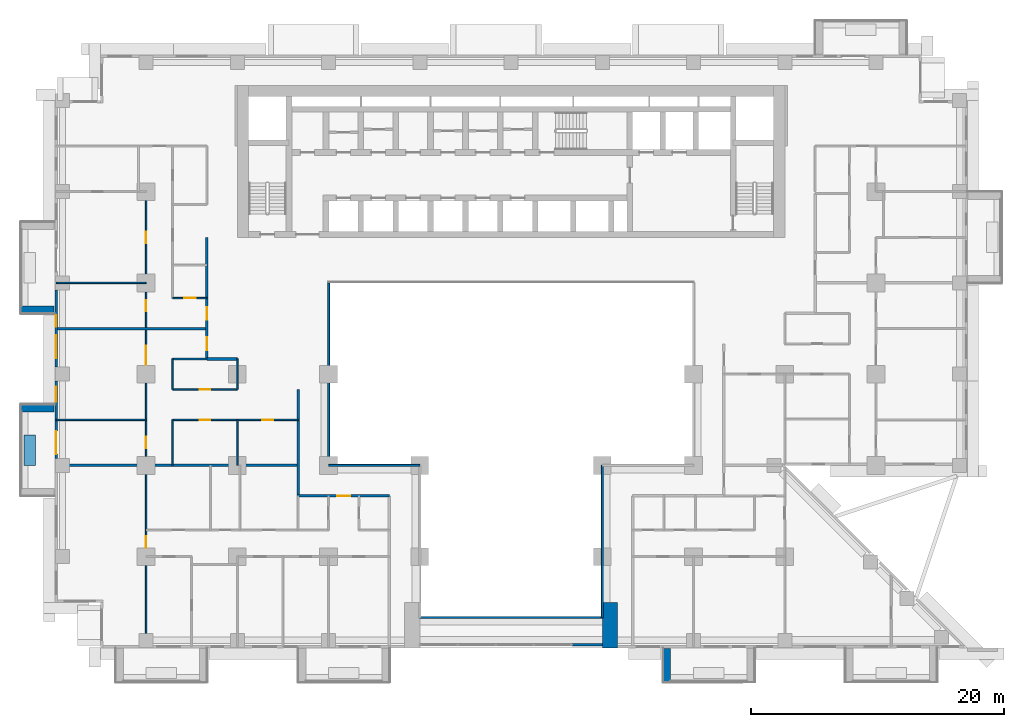
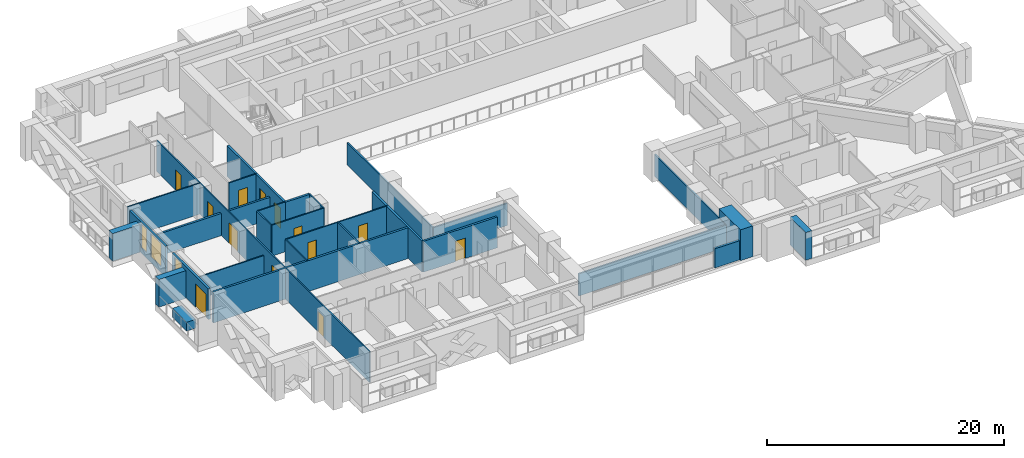
# One storey, part 7 of 17: 29 walls, 13 doors, 3 windows, 16 openings.
"""IFC4 building model written with IfcOpenShell, lengths in metres."""

from ifc_helpers import new_model, si_unit, direction, frame, frame_2d, origin, place, context, subcontext, project, spatial, rectangle, extrude, material, layer, layer_set, type_object, element, fill, save


model = new_model("IFC4")

# Units and contexts
model_context = context("Model", 3, precision=1e-05, world=origin(), true_north=direction((0.0, 1.0)))
body_context = subcontext(model_context, "Body", "Model", "MODEL_VIEW")
ifc_project = project(units=[si_unit("LENGTHUNIT", "METRE"), si_unit("AREAUNIT", "SQUARE_METRE"), si_unit("VOLUMEUNIT", "CUBIC_METRE"), si_unit("PLANEANGLEUNIT", "RADIAN"), si_unit("MASSUNIT", "GRAM", prefix="KILO")], contexts=[model_context])

# Site, building, storey
site_placement = place(None, origin())
site = spatial("IfcSite", under=ifc_project, at=site_placement, CompositionType="ELEMENT")
building_placement = place(site_placement, origin())
building = spatial("IfcBuilding", under=site, at=building_placement, Name="Saffron Iwan Residences", CompositionType="ELEMENT")
storey_placement = place(building_placement, frame((0.0, 0.0, 41.0)))
storey = spatial("IfcBuildingStorey", under=building, at=storey_placement, Name="L09", CompositionType="ELEMENT", Elevation=41.0)

# Walls
ifc_material_1 = material(Name="Fire-rated glazing", Category="glass")
ifc_layer_1 = layer(ifc_material_1, 0.14990234375)
ifc_layer_set_1 = layer_set([ifc_layer_1], Name="Fire-rated glazing")
wall_type_1 = type_object("IfcWallType", Name="Atrium glazed screen 150", PredefinedType="SOLIDWALL", material=ifc_layer_set_1)
wall_1_placement = place(storey_placement, frame((43.199951171875, 36.0, 0.0), z_axis=(0.0, 0.0, 1.0), x_axis=(1.0, 0.0, 0.0)))
element("IfcWall", 1, at=wall_1_placement, inside=storey, type_object=wall_type_1, Name="W-L09-SCREEN-h36-43.2", PredefinedType="SOLIDWALL", context=body_context, shape_type="SweptSolid", body=[
    extrude(rectangle(XDim=14.400146484375, YDim=0.14990234375, at=frame_2d((7.2001953125, 0.0))), origin(), (0.0, 0.0, 1.0), 2.280029296875),
])
wall_2_placement = place(storey_placement, frame((36.0, 48.0, 0.0), z_axis=(0.0, 0.0, 1.0), x_axis=(1.0, 0.0, 0.0)))
element("IfcWall", 2, at=wall_2_placement, inside=storey, type_object=wall_type_1, Name="W-L09-SCREEN-h48-36", PredefinedType="SOLIDWALL", context=body_context, shape_type="SweptSolid", body=[
    extrude(rectangle(XDim=7.199951171875, YDim=0.14990234375, at=frame_2d((3.60009765625, 0.0))), origin(), (0.0, 0.0, 1.0), 2.280029296875),
])
wall_3_placement = place(storey_placement, frame((36.0, 48.0, 0.0), z_axis=(0.0, 0.0, 1.0), x_axis=(0.0, 1.0, 0.0)))
element("IfcWall", 3, at=wall_3_placement, inside=storey, type_object=wall_type_1, Name="W-L09-SCREEN-v36-48", PredefinedType="SOLIDWALL", context=body_context, shape_type="SweptSolid", body=[
    extrude(rectangle(XDim=14.39990234375, YDim=0.14990234375, at=frame_2d((7.199951171875, 0.0))), origin(), (0.0, 0.0, 1.0), 2.280029296875),
])
wall_4_placement = place(storey_placement, frame((57.60009765625, 36.0, 0.0), z_axis=(0.0, 0.0, 1.0), x_axis=(0.0, 1.0, 0.0)))
element("IfcWall", 4, at=wall_4_placement, inside=storey, type_object=wall_type_1, Name="W-L09-SCREEN-v57.6-36", PredefinedType="SOLIDWALL", context=body_context, shape_type="SweptSolid", body=[
    extrude(rectangle(XDim=12.0, YDim=0.14990234375, at=frame_2d((6.0, 0.0))), origin(), (0.0, 0.0, 1.0), 2.280029296875),
])
ifc_material_2 = material(Name="Concrete C50/60 white painted", Category="concrete")
ifc_layer_2 = layer(ifc_material_2, 0.60009765625)
ifc_layer_set_2 = layer_set([ifc_layer_2], Name="Concrete C50/60 white painted")
wall_type_2 = type_object("IfcWallType", Name="BALCONY FIN 600", PredefinedType="SOLIDWALL", material=ifc_layer_set_2)
for number, where, z_axis, x_axis, name in (
    (5, (14.35009765625, 60.300048828125, 0.0), (0.0, 0.0, 1.0), (-1.0, 0.0, 0.0), "Balcony fin L09 F8-0b"),
    (6, (14.35009765625, 52.5, 0.0), (0.0, 0.0, 1.0), (-1.0, 0.0, 0.0), "Balcony fin L09 F8-1a"),
    (7, (62.699951171875, 33.550048828125, 0.0), (0.0, 0.0, 1.0), (0.0, -1.0, 0.0), "Balcony fin L09 11-2a"),
):
    element("IfcWall", number, at=place(storey_placement, frame(where, z_axis=z_axis, x_axis=x_axis)), inside=storey, type_object=wall_type_2, Name=name, PredefinedType="SOLIDWALL", context=body_context, shape_type="SweptSolid", body=[
        extrude(rectangle(XDim=2.650146484375, YDim=0.60009765625, at=frame_2d((1.3251953125, 0.0))), origin(), (0.0, 0.0, 1.0), 2.85009765625),
    ])
ifc_material_3 = material(Name="Concrete C35/45 white painted", Category="concrete")
ifc_layer_3 = layer(ifc_material_3, 0.14990234375)
ifc_layer_set_3 = layer_set([ifc_layer_3], Name="Concrete C35/45 white painted")
wall_type_3 = type_object("IfcWallType", Name="BALCONY PLANTER", PredefinedType="SOLIDWALL", material=ifc_layer_set_3)
wall_5_placement = place(storey_placement, frame((12.425048828125, 50.39990234375, 0.0), z_axis=(0.0, 0.0, 1.0), x_axis=(0.0, -1.0, 0.0)))
element("IfcWall", 8, at=wall_5_placement, inside=storey, type_object=wall_type_3, Name="PLANTER L09 F8-1", PredefinedType="SOLIDWALL", context=body_context, shape_type="SweptSolid", body=[
    extrude(rectangle(XDim=2.39990234375, YDim=0.89990234375, at=frame_2d((1.199951171875, 0.0))), origin(), (0.0, 0.0, 1.0), 0.89990234375),
])

# Wall, openings, windows
ifc_material_4 = material(Name="Concrete C40/50", Category="concrete")
ifc_layer_4 = layer(ifc_material_4, 0.199951171875)
ifc_layer_set_4 = layer_set([ifc_layer_4], Name="Concrete C40/50")
wall_type_4 = type_object("IfcWallType", Name="EXTERNAL WALL 200", PredefinedType="SOLIDWALL", material=ifc_layer_set_4)
wall_6_placement = place(storey_placement, frame((14.5, 61.85009765625, 0.0), z_axis=(0.0, 0.0, 1.0), x_axis=(0.0, -1.0, 0.0)))
wall_6 = element("IfcWall", 9, at=wall_6_placement, inside=storey, type_object=wall_type_4, Name="External wall L09 F8.2", PredefinedType="SOLIDWALL", context=body_context, shape_type="SweptSolid", body=[
    extrude(rectangle(XDim=6.10009765625, YDim=0.199951171875, at=frame_2d((3.050048828125, 0.0))), origin(), (0.0, 0.0, 1.0), 3.179931640625),
])
opening_1_placement = place(wall_6_placement, frame((3.574951171875, 0.0, 0.60009765625)))
opening_1 = element("IfcOpeningElement", 10, at=opening_1_placement, cuts=wall_6, Name="Opening W8", PredefinedType="OPENING", context=body_context, shape_type="SweptSolid", body=[
    extrude(rectangle(XDim=1.800048828125, YDim=2.39990234375, at=frame_2d((0.89990234375, 1.199951171875))), frame((0.0, 0.10986328125, 0.0), z_axis=(0.0, -1.0, 0.0), x_axis=(1.0, 0.0, 0.0)), (0.0, 0.0, 1.0), 0.219970703125),
])
opening_2_placement = place(wall_6_placement, frame((2.0, 0.0, 0.60009765625)))
opening_2 = element("IfcOpeningElement", 11, at=opening_2_placement, cuts=wall_6, Name="Opening W10", PredefinedType="OPENING", context=body_context, shape_type="SweptSolid", body=[
    extrude(rectangle(XDim=0.89990234375, YDim=2.39990234375, at=frame_2d((0.449951171875, 1.199951171875))), frame((0.0, 0.10986328125, 0.0), z_axis=(0.0, -1.0, 0.0), x_axis=(1.0, 0.0, 0.0)), (0.0, 0.0, 1.0), 0.219970703125),
])
ifc_material_5 = material(Name="Clear glass, laminated double glazed", Category="glass")
window_type_1 = type_object("IfcWindowType", Name="WINDOW 1800 x 2400", PartitioningType="DOUBLE_PANEL_VERTICAL", PredefinedType="WINDOW", material=ifc_material_5)
window_1_placement = place(opening_1_placement, origin())
window_1 = element("IfcWindow", 12, at=window_1_placement, inside=storey, type_object=window_type_1, Name="Window L09 F8.0", OverallHeight=2.39990234375, OverallWidth=1.800048828125, PartitioningType="DOUBLE_PANEL_VERTICAL", PredefinedType="WINDOW", context=body_context, shape_type="SweptSolid", body=[
    extrude(rectangle(XDim=1.800048828125, YDim=2.39990234375, at=frame_2d((0.89990234375, 1.199951171875))), frame((0.0, 0.030029296875, 0.0), z_axis=(0.0, -1.0, 0.0), x_axis=(1.0, 0.0, 0.0)), (0.0, 0.0, 1.0), 0.06005859375),
])
fill(opening_1, window_1)
window_type_2 = type_object("IfcWindowType", Name="WINDOW 900 x 2400", PartitioningType="SINGLE_PANEL", PredefinedType="WINDOW", material=ifc_material_5)
window_2_placement = place(opening_2_placement, origin())
window_2 = element("IfcWindow", 13, at=window_2_placement, inside=storey, type_object=window_type_2, Name="Window L09 F8.1", OverallHeight=2.39990234375, OverallWidth=0.89990234375, PartitioningType="SINGLE_PANEL", PredefinedType="WINDOW", context=body_context, shape_type="SweptSolid", body=[
    extrude(rectangle(XDim=0.89990234375, YDim=2.39990234375, at=frame_2d((0.449951171875, 1.199951171875))), frame((0.0, 0.030029296875, 0.0), z_axis=(0.0, -1.0, 0.0), x_axis=(1.0, 0.0, 0.0)), (0.0, 0.0, 1.0), 0.06005859375),
])
fill(opening_2, window_2)

# Wall, openings, door, window
wall_7_placement = place(storey_placement, frame((14.5, 54.64990234375, 0.0), z_axis=(0.0, 0.0, 1.0), x_axis=(0.0, -1.0, 0.0)))
wall_7 = element("IfcWall", 14, at=wall_7_placement, inside=storey, type_object=wall_type_4, Name="External wall L09 F8.3", PredefinedType="SOLIDWALL", context=body_context, shape_type="SweptSolid", body=[
    extrude(rectangle(XDim=6.099853515625, YDim=0.199951171875, at=frame_2d((3.0498046875, 0.0))), origin(), (0.0, 0.0, 1.0), 3.179931640625),
])
opening_3_placement = place(wall_7_placement, frame((3.949951171875, 0.0, 0.0)))
opening_3 = element("IfcOpeningElement", 15, at=opening_3_placement, cuts=wall_7, Name="Opening BD1", PredefinedType="OPENING", context=body_context, shape_type="SweptSolid", body=[
    extrude(rectangle(XDim=1.800048828125, YDim=2.39990234375, at=frame_2d((0.89990234375, 1.199951171875))), frame((0.0, 0.10986328125, 0.0), z_axis=(0.0, -1.0, 0.0), x_axis=(1.0, 0.0, 0.0)), (0.0, 0.0, 1.0), 0.219970703125),
])
opening_4_placement = place(wall_7_placement, frame((0.425048828125, 0.0, 0.60009765625)))
opening_4 = element("IfcOpeningElement", 16, at=opening_4_placement, cuts=wall_7, Name="Opening W3", PredefinedType="OPENING", context=body_context, shape_type="SweptSolid", body=[
    extrude(rectangle(XDim=1.199951171875, YDim=2.39990234375, at=frame_2d((0.60009765625, 1.199951171875))), frame((0.0, 0.10986328125, 0.0), z_axis=(0.0, -1.0, 0.0), x_axis=(1.0, 0.0, 0.0)), (0.0, 0.0, 1.0), 0.219970703125),
])
door_type_1 = type_object("IfcDoorType", Name="BALCONY DOOR 1800 x 2400", OperationType="DOUBLE_DOOR_SLIDING", PredefinedType="DOOR", material=ifc_material_5)
door_1_placement = place(opening_3_placement, origin())
door_1 = element("IfcDoor", 17, at=door_1_placement, inside=storey, type_object=door_type_1, Name="Balcony door L09 F8.0", OperationType="DOUBLE_DOOR_SLIDING", OverallHeight=2.39990234375, OverallWidth=1.800048828125, PredefinedType="DOOR", context=body_context, shape_type="SweptSolid", body=[
    extrude(rectangle(XDim=1.800048828125, YDim=2.39990234375, at=frame_2d((0.89990234375, 1.199951171875))), frame((0.0, 0.02490234375, 0.0), z_axis=(0.0, -1.0, 0.0), x_axis=(1.0, 0.0, 0.0)), (0.0, 0.0, 1.0), 0.050048828125),
])
fill(opening_3, door_1)
window_type_3 = type_object("IfcWindowType", Name="WINDOW 1200 x 2400", PartitioningType="SINGLE_PANEL", PredefinedType="WINDOW", material=ifc_material_5)
window_3_placement = place(opening_4_placement, origin())
window_3 = element("IfcWindow", 18, at=window_3_placement, inside=storey, type_object=window_type_3, Name="Window L09 F8.1", OverallHeight=2.39990234375, OverallWidth=1.199951171875, PartitioningType="SINGLE_PANEL", PredefinedType="WINDOW", context=body_context, shape_type="SweptSolid", body=[
    extrude(rectangle(XDim=1.199951171875, YDim=2.39990234375, at=frame_2d((0.60009765625, 1.199951171875))), frame((0.0, 0.030029296875, 0.0), z_axis=(0.0, -1.0, 0.0), x_axis=(1.0, 0.0, 0.0)), (0.0, 0.0, 1.0), 0.06005859375),
])
fill(opening_4, window_3)

# Walls
wall_8_placement = place(storey_placement, frame((55.199951171875, 33.85009765625, 0.0), z_axis=(0.0, 0.0, 1.0), x_axis=(1.0, 0.0, 0.0)))
element("IfcWall", 19, at=wall_8_placement, inside=storey, type_object=wall_type_4, Name="External wall infill CWB-L09-0", PredefinedType="SOLIDWALL", context=body_context, shape_type="SweptSolid", body=[
    extrude(rectangle(XDim=2.400146484375, YDim=0.199951171875, at=frame_2d((1.2001953125, 0.0))), origin(), (0.0, 0.0, 1.0), 1.97998046875),
])
ifc_material_6 = material(Name="Fire-rated gypsum board wall")
ifc_layer_5 = layer(ifc_material_6, 0.199951171875)
ifc_layer_set_5 = layer_set([ifc_layer_5], Name="Fire-rated gypsum board wall")
wall_type_5 = type_object("IfcWallType", Name="Flat demising wall 200", PredefinedType="SOLIDWALL", material=ifc_layer_set_5)
wall_9_placement = place(storey_placement, frame((14.52490234375, 48.0, 0.0), z_axis=(0.0, 0.0, 1.0), x_axis=(1.0, 0.0, 0.0)))
element("IfcWall", 20, at=wall_9_placement, inside=storey, type_object=wall_type_5, Name="W-L09-DEMISE-h48-14.525", PredefinedType="SOLIDWALL", context=body_context, shape_type="SweptSolid", body=[
    extrude(rectangle(XDim=19.0751953125, YDim=0.199951171875, at=frame_2d((9.53759765625, 0.0))), origin(), (0.0, 0.0, 1.0), 3.179931640625),
])
wall_10_placement = place(storey_placement, frame((14.52490234375, 58.800048828125, 0.0), z_axis=(0.0, 0.0, 1.0), x_axis=(1.0, 0.0, 0.0)))
element("IfcWall", 21, at=wall_10_placement, inside=storey, type_object=wall_type_5, Name="W-L09-DEMISE-h58.8-14.525", PredefinedType="SOLIDWALL", context=body_context, shape_type="SweptSolid", body=[
    extrude(rectangle(XDim=11.875, YDim=0.199951171875, at=frame_2d((5.9375, 0.0))), origin(), (0.0, 0.0, 1.0), 2.280029296875),
])
ifc_material_7 = material(Name="Gypsum board partition")
ifc_layer_6 = layer(ifc_material_7, 0.1201171875)
ifc_layer_set_6 = layer_set([ifc_layer_6], Name="Gypsum board partition")
wall_type_6 = type_object("IfcWallType", Name="Flat partition 120", PredefinedType="PARTITIONING", material=ifc_layer_set_6)
wall_11_placement = place(storey_placement, frame((14.52490234375, 51.60009765625, 0.0), z_axis=(0.0, 0.0, 1.0), x_axis=(1.0, 0.0, 0.0)))
element("IfcWall", 22, at=wall_11_placement, inside=storey, type_object=wall_type_6, Name="W-L09-PART-h51.6-14.525", PredefinedType="PARTITIONING", context=body_context, shape_type="SweptSolid", body=[
    extrude(rectangle(XDim=7.0751953125, YDim=0.1201171875, at=frame_2d((3.53759765625, 0.0))), origin(), (0.0, 0.0, 1.0), 2.280029296875),
])

# Wall, openings, doors
wall_12_placement = place(storey_placement, frame((23.699951171875, 51.60009765625, 0.0), z_axis=(0.0, 0.0, 1.0), x_axis=(1.0, 0.0, 0.0)))
wall_12 = element("IfcWall", 23, at=wall_12_placement, inside=storey, type_object=wall_type_6, Name="W-L09-PART-h51.6-23.7", PredefinedType="PARTITIONING", context=body_context, shape_type="SweptSolid", body=[
    extrude(rectangle(XDim=9.900146484375, YDim=0.1201171875, at=frame_2d((4.9501953125, 0.0))), origin(), (0.0, 0.0, 1.0), 3.179931640625),
])
opening_5_placement = place(wall_12_placement, frame((2.14990234375, 0.0, 0.0)))
opening_5 = element("IfcOpeningElement", 24, at=opening_5_placement, cuts=wall_12, Name="Opening FD3", PredefinedType="OPENING", context=body_context, shape_type="SweptSolid", body=[
    extrude(rectangle(XDim=0.800048828125, YDim=2.10009765625, at=frame_2d((0.39990234375, 1.050048828125))), frame((0.0, 0.070068359375, 0.0), z_axis=(0.0, -1.0, 0.0), x_axis=(1.0, 0.0, 0.0)), (0.0, 0.0, 1.0), 0.14013671875),
])
opening_6_placement = place(wall_12_placement, frame((7.050048828125, 0.0, 0.0)))
opening_6 = element("IfcOpeningElement", 25, at=opening_6_placement, cuts=wall_12, Name="Opening FD2", PredefinedType="OPENING", context=body_context, shape_type="SweptSolid", body=[
    extrude(rectangle(XDim=0.89990234375, YDim=2.10009765625, at=frame_2d((0.449951171875, 1.050048828125))), frame((0.0, 0.070068359375, 0.0), z_axis=(0.0, -1.0, 0.0), x_axis=(1.0, 0.0, 0.0)), (0.0, 0.0, 1.0), 0.14013671875),
])
ifc_material_8 = material(Name="Timber door", Category="wood")
door_type_2 = type_object("IfcDoorType", Name="Bathroom door 800", OperationType="NOTDEFINED", PredefinedType="DOOR", material=ifc_material_8)
door_2_placement = place(opening_5_placement, origin())
door_2 = element("IfcDoor", 26, at=door_2_placement, inside=storey, type_object=door_type_2, Name="Door L09-016", OperationType="SINGLE_SWING_RIGHT", OverallHeight=2.10009765625, OverallWidth=0.800048828125, PredefinedType="DOOR", context=body_context, shape_type="SweptSolid", body=[
    extrude(rectangle(XDim=0.800048828125, YDim=2.10009765625, at=frame_2d((0.39990234375, 1.050048828125))), frame((0.0, 0.02490234375, 0.0), z_axis=(0.0, -1.0, 0.0), x_axis=(1.0, 0.0, 0.0)), (0.0, 0.0, 1.0), 0.050048828125),
])
fill(opening_5, door_2)
door_type_3 = type_object("IfcDoorType", Name="Flat door 900", OperationType="NOTDEFINED", PredefinedType="DOOR", material=ifc_material_8)
door_3_placement = place(opening_6_placement, origin())
door_3 = element("IfcDoor", 27, at=door_3_placement, inside=storey, type_object=door_type_3, Name="Door L09-018", OperationType="SINGLE_SWING_LEFT", OverallHeight=2.10009765625, OverallWidth=0.89990234375, PredefinedType="DOOR", context=body_context, shape_type="SweptSolid", body=[
    extrude(rectangle(XDim=0.89990234375, YDim=2.10009765625, at=frame_2d((0.449951171875, 1.050048828125))), frame((0.0, 0.02490234375, 0.0), z_axis=(0.0, -1.0, 0.0), x_axis=(1.0, 0.0, 0.0)), (0.0, 0.0, 1.0), 0.050048828125),
])
fill(opening_6, door_3)

# Wall, opening, door
wall_13_placement = place(storey_placement, frame((23.699951171875, 54.0, 0.0), z_axis=(0.0, 0.0, 1.0), x_axis=(1.0, 0.0, 0.0)))
wall_13 = element("IfcWall", 28, at=wall_13_placement, inside=storey, type_object=wall_type_6, Name="W-L09-PART-h54-23.7", PredefinedType="PARTITIONING", context=body_context, shape_type="SweptSolid", body=[
    extrude(rectangle(XDim=5.10009765625, YDim=0.1201171875, at=frame_2d((2.550048828125, 0.0))), origin(), (0.0, 0.0, 1.0), 3.179931640625),
])
opening_7_placement = place(wall_13_placement, frame((2.14990234375, 0.0, 0.0)))
opening_7 = element("IfcOpeningElement", 29, at=opening_7_placement, cuts=wall_13, Name="Opening FD3", PredefinedType="OPENING", context=body_context, shape_type="SweptSolid", body=[
    extrude(rectangle(XDim=0.800048828125, YDim=2.10009765625, at=frame_2d((0.39990234375, 1.050048828125))), frame((0.0, 0.070068359375, 0.0), z_axis=(0.0, -1.0, 0.0), x_axis=(1.0, 0.0, 0.0)), (0.0, 0.0, 1.0), 0.14013671875),
])
door_4_placement = place(opening_7_placement, origin())
door_4 = element("IfcDoor", 30, at=door_4_placement, inside=storey, type_object=door_type_2, Name="Door L09-017", OperationType="SINGLE_SWING_LEFT", OverallHeight=2.10009765625, OverallWidth=0.800048828125, PredefinedType="DOOR", context=body_context, shape_type="SweptSolid", body=[
    extrude(rectangle(XDim=0.800048828125, YDim=2.10009765625, at=frame_2d((0.39990234375, 1.050048828125))), frame((0.0, 0.02490234375, 0.0), z_axis=(0.0, -1.0, 0.0), x_axis=(1.0, 0.0, 0.0)), (0.0, 0.0, 1.0), 0.050048828125),
])
fill(opening_7, door_4)

# Wall
wall_14_placement = place(storey_placement, frame((23.699951171875, 56.39990234375, 0.0), z_axis=(0.0, 0.0, 1.0), x_axis=(1.0, 0.0, 0.0)))
element("IfcWall", 31, at=wall_14_placement, inside=storey, type_object=wall_type_6, Name="W-L09-PART-h56.4-23.7", PredefinedType="PARTITIONING", context=body_context, shape_type="SweptSolid", body=[
    extrude(rectangle(XDim=2.699951171875, YDim=0.1201171875, at=frame_2d((1.35009765625, 0.0))), origin(), (0.0, 0.0, 1.0), 3.179931640625),
])

# Wall, opening, door
wall_15_placement = place(storey_placement, frame((23.699951171875, 61.199951171875, 0.0), z_axis=(0.0, 0.0, 1.0), x_axis=(1.0, 0.0, 0.0)))
wall_15 = element("IfcWall", 32, at=wall_15_placement, inside=storey, type_object=wall_type_6, Name="W-L09-PART-h61.2-23.7", PredefinedType="PARTITIONING", context=body_context, shape_type="SweptSolid", body=[
    extrude(rectangle(XDim=2.699951171875, YDim=0.1201171875, at=frame_2d((1.35009765625, 0.0))), origin(), (0.0, 0.0, 1.0), 3.179931640625),
])
opening_8_placement = place(wall_15_placement, frame((0.89990234375, 0.0, 0.0)))
opening_8 = element("IfcOpeningElement", 33, at=opening_8_placement, cuts=wall_15, Name="Opening FD2", PredefinedType="OPENING", context=body_context, shape_type="SweptSolid", body=[
    extrude(rectangle(XDim=0.89990234375, YDim=2.10009765625, at=frame_2d((0.449951171875, 1.050048828125))), frame((0.0, 0.070068359375, 0.0), z_axis=(0.0, -1.0, 0.0), x_axis=(1.0, 0.0, 0.0)), (0.0, 0.0, 1.0), 0.14013671875),
])
door_5_placement = place(opening_8_placement, origin())
door_5 = element("IfcDoor", 34, at=door_5_placement, inside=storey, type_object=door_type_3, Name="Door L09-032", OperationType="SINGLE_SWING_LEFT", OverallHeight=2.10009765625, OverallWidth=0.89990234375, PredefinedType="DOOR", context=body_context, shape_type="SweptSolid", body=[
    extrude(rectangle(XDim=0.89990234375, YDim=2.10009765625, at=frame_2d((0.449951171875, 1.050048828125))), frame((0.0, 0.02490234375, 0.0), z_axis=(0.0, -1.0, 0.0), x_axis=(1.0, 0.0, 0.0)), (0.0, 0.0, 1.0), 0.050048828125),
])
fill(opening_8, door_5)

# Wall
wall_16_placement = place(storey_placement, frame((14.52490234375, 62.39990234375, 0.0), z_axis=(0.0, 0.0, 1.0), x_axis=(1.0, 0.0, 0.0)))
element("IfcWall", 35, at=wall_16_placement, inside=storey, type_object=wall_type_6, Name="W-L09-PART-h62.4-14.525", PredefinedType="PARTITIONING", context=body_context, shape_type="SweptSolid", body=[
    extrude(rectangle(XDim=7.0751953125, YDim=0.1201171875, at=frame_2d((3.53759765625, 0.0))), origin(), (0.0, 0.0, 1.0), 3.179931640625),
])

# Wall, openings, doors
wall_17_placement = place(storey_placement, frame((21.60009765625, 33.72509765625, 0.0), z_axis=(0.0, 0.0, 1.0), x_axis=(0.0, 1.0, 0.0)))
wall_17 = element("IfcWall", 36, at=wall_17_placement, inside=storey, type_object=wall_type_6, Name="W-L09-PART-v21.6-33.725", PredefinedType="PARTITIONING", context=body_context, shape_type="SweptSolid", body=[
    extrude(rectangle(XDim=35.875, YDim=0.1201171875, at=frame_2d((17.9375, 0.0))), origin(), (0.0, 0.0, 1.0), 3.179931640625),
])
opening_9_placement = place(wall_17_placement, frame((7.77490234375, 0.0, 0.0)))
opening_9 = element("IfcOpeningElement", 37, at=opening_9_placement, cuts=wall_17, Name="Opening FD2", PredefinedType="OPENING", context=body_context, shape_type="SweptSolid", body=[
    extrude(rectangle(XDim=0.89990234375, YDim=2.10009765625, at=frame_2d((0.449951171875, 1.050048828125))), frame((0.0, 0.070068359375, 0.0), z_axis=(0.0, -1.0, 0.0), x_axis=(1.0, 0.0, 0.0)), (0.0, 0.0, 1.0), 0.14013671875),
])
opening_10_placement = place(wall_17_placement, frame((15.625, 0.0, 0.0)))
opening_10 = element("IfcOpeningElement", 38, at=opening_10_placement, cuts=wall_17, Name="Opening FD2", PredefinedType="OPENING", context=body_context, shape_type="SweptSolid", body=[
    extrude(rectangle(XDim=0.89990234375, YDim=2.10009765625, at=frame_2d((0.449951171875, 1.050048828125))), frame((0.0, 0.070068359375, 0.0), z_axis=(0.0, -1.0, 0.0), x_axis=(1.0, 0.0, 0.0)), (0.0, 0.0, 1.0), 0.14013671875),
])
opening_11_placement = place(wall_17_placement, frame((22.22509765625, 0.0, 0.0)))
opening_11 = element("IfcOpeningElement", 39, at=opening_11_placement, cuts=wall_17, Name="Opening FD4", PredefinedType="OPENING", context=body_context, shape_type="SweptSolid", body=[
    extrude(rectangle(XDim=1.5, YDim=2.10009765625, at=frame_2d((0.75, 1.050048828125))), frame((0.0, 0.070068359375, 0.0), z_axis=(0.0, -1.0, 0.0), x_axis=(1.0, 0.0, 0.0)), (0.0, 0.0, 1.0), 0.14013671875),
])
opening_12_placement = place(wall_17_placement, frame((26.425048828125, 0.0, 0.0)))
opening_12 = element("IfcOpeningElement", 40, at=opening_12_placement, cuts=wall_17, Name="Opening FD2", PredefinedType="OPENING", context=body_context, shape_type="SweptSolid", body=[
    extrude(rectangle(XDim=0.89990234375, YDim=2.10009765625, at=frame_2d((0.449951171875, 1.050048828125))), frame((0.0, 0.070068359375, 0.0), z_axis=(0.0, -1.0, 0.0), x_axis=(1.0, 0.0, 0.0)), (0.0, 0.0, 1.0), 0.14013671875),
])
opening_13_placement = place(wall_17_placement, frame((31.824951171875, 0.0, 0.0)))
opening_13 = element("IfcOpeningElement", 41, at=opening_13_placement, cuts=wall_17, Name="Opening FD2", PredefinedType="OPENING", context=body_context, shape_type="SweptSolid", body=[
    extrude(rectangle(XDim=0.89990234375, YDim=2.10009765625, at=frame_2d((0.449951171875, 1.050048828125))), frame((0.0, 0.070068359375, 0.0), z_axis=(0.0, -1.0, 0.0), x_axis=(1.0, 0.0, 0.0)), (0.0, 0.0, 1.0), 0.14013671875),
])
door_type_4 = type_object("IfcDoorType", Name="Double door 1500", OperationType="NOTDEFINED", PredefinedType="DOOR", material=ifc_material_8)
door_6_placement = place(opening_11_placement, origin())
door_6 = element("IfcDoor", 42, at=door_6_placement, inside=storey, type_object=door_type_4, Name="Door L09-015", OperationType="SINGLE_SWING_RIGHT", OverallHeight=2.10009765625, OverallWidth=1.5, PredefinedType="DOOR", context=body_context, shape_type="SweptSolid", body=[
    extrude(rectangle(XDim=1.5, YDim=2.10009765625, at=frame_2d((0.75, 1.050048828125))), frame((0.0, 0.02490234375, 0.0), z_axis=(0.0, -1.0, 0.0), x_axis=(1.0, 0.0, 0.0)), (0.0, 0.0, 1.0), 0.050048828125),
])
fill(opening_11, door_6)
door_7_placement = place(opening_9_placement, origin())
door_7 = element("IfcDoor", 43, at=door_7_placement, inside=storey, type_object=door_type_3, Name="Door L09-002", OperationType="SINGLE_SWING_RIGHT", OverallHeight=2.10009765625, OverallWidth=0.89990234375, PredefinedType="DOOR", context=body_context, shape_type="SweptSolid", body=[
    extrude(rectangle(XDim=0.89990234375, YDim=2.10009765625, at=frame_2d((0.449951171875, 1.050048828125))), frame((0.0, 0.02490234375, 0.0), z_axis=(0.0, -1.0, 0.0), x_axis=(1.0, 0.0, 0.0)), (0.0, 0.0, 1.0), 0.050048828125),
])
fill(opening_9, door_7)
door_8_placement = place(opening_10_placement, origin())
door_8 = element("IfcDoor", 44, at=door_8_placement, inside=storey, type_object=door_type_3, Name="Door L09-014", OperationType="SINGLE_SWING_LEFT", OverallHeight=2.10009765625, OverallWidth=0.89990234375, PredefinedType="DOOR", context=body_context, shape_type="SweptSolid", body=[
    extrude(rectangle(XDim=0.89990234375, YDim=2.10009765625, at=frame_2d((0.449951171875, 1.050048828125))), frame((0.0, 0.02490234375, 0.0), z_axis=(0.0, -1.0, 0.0), x_axis=(1.0, 0.0, 0.0)), (0.0, 0.0, 1.0), 0.050048828125),
])
fill(opening_10, door_8)
door_9_placement = place(opening_12_placement, origin())
door_9 = element("IfcDoor", 45, at=door_9_placement, inside=storey, type_object=door_type_3, Name="Door L09-028", OperationType="SINGLE_SWING_RIGHT", OverallHeight=2.10009765625, OverallWidth=0.89990234375, PredefinedType="DOOR", context=body_context, shape_type="SweptSolid", body=[
    extrude(rectangle(XDim=0.89990234375, YDim=2.10009765625, at=frame_2d((0.449951171875, 1.050048828125))), frame((0.0, 0.02490234375, 0.0), z_axis=(0.0, -1.0, 0.0), x_axis=(1.0, 0.0, 0.0)), (0.0, 0.0, 1.0), 0.050048828125),
])
fill(opening_12, door_9)
door_10_placement = place(opening_13_placement, origin())
door_10 = element("IfcDoor", 46, at=door_10_placement, inside=storey, type_object=door_type_3, Name="Door L09-029", OperationType="SINGLE_SWING_LEFT", OverallHeight=2.10009765625, OverallWidth=0.89990234375, PredefinedType="DOOR", context=body_context, shape_type="SweptSolid", body=[
    extrude(rectangle(XDim=0.89990234375, YDim=2.10009765625, at=frame_2d((0.449951171875, 1.050048828125))), frame((0.0, 0.02490234375, 0.0), z_axis=(0.0, -1.0, 0.0), x_axis=(1.0, 0.0, 0.0)), (0.0, 0.0, 1.0), 0.050048828125),
])
fill(opening_13, door_10)

# Walls
wall_18_placement = place(storey_placement, frame((23.699951171875, 48.0, 0.0), z_axis=(0.0, 0.0, 1.0), x_axis=(0.0, 1.0, 0.0)))
element("IfcWall", 47, at=wall_18_placement, inside=storey, type_object=wall_type_6, Name="W-L09-PART-v23.7-48", PredefinedType="PARTITIONING", context=body_context, shape_type="SweptSolid", body=[
    extrude(rectangle(XDim=3.60009765625, YDim=0.1201171875, at=frame_2d((1.800048828125, 0.0))), origin(), (0.0, 0.0, 1.0), 3.179931640625),
])
wall_19_placement = place(storey_placement, frame((23.699951171875, 54.0, 0.0), z_axis=(0.0, 0.0, 1.0), x_axis=(0.0, 1.0, 0.0)))
element("IfcWall", 48, at=wall_19_placement, inside=storey, type_object=wall_type_6, Name="W-L09-PART-v23.7-54", PredefinedType="PARTITIONING", context=body_context, shape_type="SweptSolid", body=[
    extrude(rectangle(XDim=2.39990234375, YDim=0.1201171875, at=frame_2d((1.199951171875, 0.0))), origin(), (0.0, 0.0, 1.0), 3.179931640625),
])
wall_20_placement = place(storey_placement, frame((28.800048828125, 48.0, 0.0), z_axis=(0.0, 0.0, 1.0), x_axis=(0.0, 1.0, 0.0)))
element("IfcWall", 49, at=wall_20_placement, inside=storey, type_object=wall_type_6, Name="W-L09-PART-v28.8-48", PredefinedType="PARTITIONING", context=body_context, shape_type="SweptSolid", body=[
    extrude(rectangle(XDim=3.60009765625, YDim=0.1201171875, at=frame_2d((1.800048828125, 0.0))), origin(), (0.0, 0.0, 1.0), 3.179931640625),
])
wall_21_placement = place(storey_placement, frame((28.800048828125, 54.0, 0.0), z_axis=(0.0, 0.0, 1.0), x_axis=(0.0, 1.0, 0.0)))
element("IfcWall", 50, at=wall_21_placement, inside=storey, type_object=wall_type_6, Name="W-L09-PART-v28.8-54", PredefinedType="PARTITIONING", context=body_context, shape_type="SweptSolid", body=[
    extrude(rectangle(XDim=2.39990234375, YDim=0.1201171875, at=frame_2d((1.199951171875, 0.0))), origin(), (0.0, 0.0, 1.0), 3.179931640625),
])

# Wall, opening, door
ifc_layer_7 = layer(ifc_material_6, 0.199951171875)
ifc_layer_set_7 = layer_set([ifc_layer_7], Name="Fire-rated gypsum board wall")
wall_type_7 = type_object("IfcWallType", Name="Gallery wall 200", PredefinedType="SOLIDWALL", material=ifc_layer_set_7)
wall_22_placement = place(storey_placement, frame((33.60009765625, 45.60009765625, 0.0), z_axis=(0.0, 0.0, 1.0), x_axis=(1.0, 0.0, 0.0)))
wall_22 = element("IfcWall", 51, at=wall_22_placement, inside=storey, type_object=wall_type_7, Name="W-L09-CORR-h45.6-33.6", PredefinedType="SOLIDWALL", context=body_context, shape_type="SweptSolid", body=[
    extrude(rectangle(XDim=7.199951171875, YDim=0.199951171875, at=frame_2d((3.60009765625, 0.0))), origin(), (0.0, 0.0, 1.0), 3.179931640625),
])
opening_14_placement = place(wall_22_placement, frame((3.10009765625, 0.0, 0.0)))
opening_14 = element("IfcOpeningElement", 52, at=opening_14_placement, cuts=wall_22, Name="Opening FD1", PredefinedType="OPENING", context=body_context, shape_type="SweptSolid", body=[
    extrude(rectangle(XDim=1.0, YDim=2.10009765625, at=frame_2d((0.5, 1.050048828125))), frame((0.0, 0.10986328125, 0.0), z_axis=(0.0, -1.0, 0.0), x_axis=(1.0, 0.0, 0.0)), (0.0, 0.0, 1.0), 0.219970703125),
])
ifc_material_9 = material(Name="Fire-rated timber door", Category="wood")
door_type_5 = type_object("IfcDoorType", Name="FD30S flat entrance door 1000", OperationType="NOTDEFINED", PredefinedType="DOOR", material=ifc_material_9)
door_11_placement = place(opening_14_placement, origin())
door_11 = element("IfcDoor", 53, at=door_11_placement, inside=storey, type_object=door_type_5, Name="Door L09-001", OperationType="SINGLE_SWING_RIGHT", OverallHeight=2.10009765625, OverallWidth=1.0, PredefinedType="DOOR", context=body_context, shape_type="SweptSolid", body=[
    extrude(rectangle(XDim=1.0, YDim=2.10009765625, at=frame_2d((0.5, 1.050048828125))), frame((0.0, 0.02490234375, 0.0), z_axis=(0.0, -1.0, 0.0), x_axis=(1.0, 0.0, 0.0)), (0.0, 0.0, 1.0), 0.050048828125),
])
fill(opening_14, door_11)

# Wall
wall_23_placement = place(storey_placement, frame((26.39990234375, 56.39990234375, 0.0), z_axis=(0.0, 0.0, 1.0), x_axis=(1.0, 0.0, 0.0)))
element("IfcWall", 54, at=wall_23_placement, inside=storey, type_object=wall_type_7, Name="W-L09-CORR-h56.4-26.4", PredefinedType="SOLIDWALL", context=body_context, shape_type="SweptSolid", body=[
    extrude(rectangle(XDim=2.400146484375, YDim=0.199951171875, at=frame_2d((1.2001953125, 0.0))), origin(), (0.0, 0.0, 1.0), 3.179931640625),
])

# Wall, openings, doors
wall_24_placement = place(storey_placement, frame((26.39990234375, 56.39990234375, 0.0), z_axis=(0.0, 0.0, 1.0), x_axis=(0.0, 1.0, 0.0)))
wall_24 = element("IfcWall", 55, at=wall_24_placement, inside=storey, type_object=wall_type_7, Name="W-L09-CORR-v26.4-56.4", PredefinedType="SOLIDWALL", context=body_context, shape_type="SweptSolid", body=[
    extrude(rectangle(XDim=9.60009765625, YDim=0.199951171875, at=frame_2d((4.800048828125, 0.0))), origin(), (0.0, 0.0, 1.0), 3.179931640625),
])
opening_15_placement = place(wall_24_placement, frame((0.699951171875, 0.0, 0.0)))
opening_15 = element("IfcOpeningElement", 56, at=opening_15_placement, cuts=wall_24, Name="Opening FD1", PredefinedType="OPENING", context=body_context, shape_type="SweptSolid", body=[
    extrude(rectangle(XDim=1.0, YDim=2.10009765625, at=frame_2d((0.5, 1.050048828125))), frame((0.0, 0.10986328125, 0.0), z_axis=(0.0, -1.0, 0.0), x_axis=(1.0, 0.0, 0.0)), (0.0, 0.0, 1.0), 0.219970703125),
])
opening_16_placement = place(wall_24_placement, frame((3.10009765625, 0.0, 0.0)))
opening_16 = element("IfcOpeningElement", 57, at=opening_16_placement, cuts=wall_24, Name="Opening FD1", PredefinedType="OPENING", context=body_context, shape_type="SweptSolid", body=[
    extrude(rectangle(XDim=1.0, YDim=2.10009765625, at=frame_2d((0.5, 1.050048828125))), frame((0.0, 0.10986328125, 0.0), z_axis=(0.0, -1.0, 0.0), x_axis=(1.0, 0.0, 0.0)), (0.0, 0.0, 1.0), 0.219970703125),
])
door_12_placement = place(opening_15_placement, origin())
door_12 = element("IfcDoor", 58, at=door_12_placement, inside=storey, type_object=door_type_5, Name="Door L09-013", OperationType="SINGLE_SWING_RIGHT", OverallHeight=2.10009765625, OverallWidth=1.0, PredefinedType="DOOR", context=body_context, shape_type="SweptSolid", body=[
    extrude(rectangle(XDim=1.0, YDim=2.10009765625, at=frame_2d((0.5, 1.050048828125))), frame((0.0, 0.02490234375, 0.0), z_axis=(0.0, -1.0, 0.0), x_axis=(1.0, 0.0, 0.0)), (0.0, 0.0, 1.0), 0.050048828125),
])
fill(opening_15, door_12)
door_13_placement = place(opening_16_placement, origin())
door_13 = element("IfcDoor", 59, at=door_13_placement, inside=storey, type_object=door_type_5, Name="Door L09-027", OperationType="SINGLE_SWING_LEFT", OverallHeight=2.10009765625, OverallWidth=1.0, PredefinedType="DOOR", context=body_context, shape_type="SweptSolid", body=[
    extrude(rectangle(XDim=1.0, YDim=2.10009765625, at=frame_2d((0.5, 1.050048828125))), frame((0.0, 0.02490234375, 0.0), z_axis=(0.0, -1.0, 0.0), x_axis=(1.0, 0.0, 0.0)), (0.0, 0.0, 1.0), 0.050048828125),
])
fill(opening_16, door_13)

# Walls
wall_25_placement = place(storey_placement, frame((33.60009765625, 45.60009765625, 0.0), z_axis=(0.0, 0.0, 1.0), x_axis=(0.0, 1.0, 0.0)))
element("IfcWall", 60, at=wall_25_placement, inside=storey, type_object=wall_type_7, Name="W-L09-CORR-v33.6-45.6", PredefinedType="SOLIDWALL", context=body_context, shape_type="SweptSolid", body=[
    extrude(rectangle(XDim=8.39990234375, YDim=0.199951171875, at=frame_2d((4.199951171875, 0.0))), origin(), (0.0, 0.0, 1.0), 3.179931640625),
])
ifc_material_10 = material(Name="Concrete C60/75", Category="concrete")
ifc_layer_8 = layer(ifc_material_10, 1.199951171875)
ifc_layer_set_8 = layer_set([ifc_layer_8], Name="Concrete C60/75")
wall_type_8 = type_object("IfcWallType", Name="WALL IWAN PIER 1200 C60/75 3180 HIGH", PredefinedType="SHEAR", material=ifc_layer_set_8)
wall_26_placement = place(storey_placement, frame((58.199951171875, 33.60009765625, 0.0), z_axis=(0.0, 0.0, 1.0), x_axis=(0.0, 1.0, 0.0)))
element("IfcWall", 61, at=wall_26_placement, inside=storey, type_object=wall_type_8, Name="IWAN PIER", PredefinedType="SHEAR", context=body_context, shape_type="SweptSolid", body=[
    extrude(rectangle(XDim=3.599853515625, YDim=1.199951171875, at=frame_2d((1.7998046875, 0.0))), origin(), (0.0, 0.0, 1.0), 3.179931640625),
])

save(model, "model.ifc")
